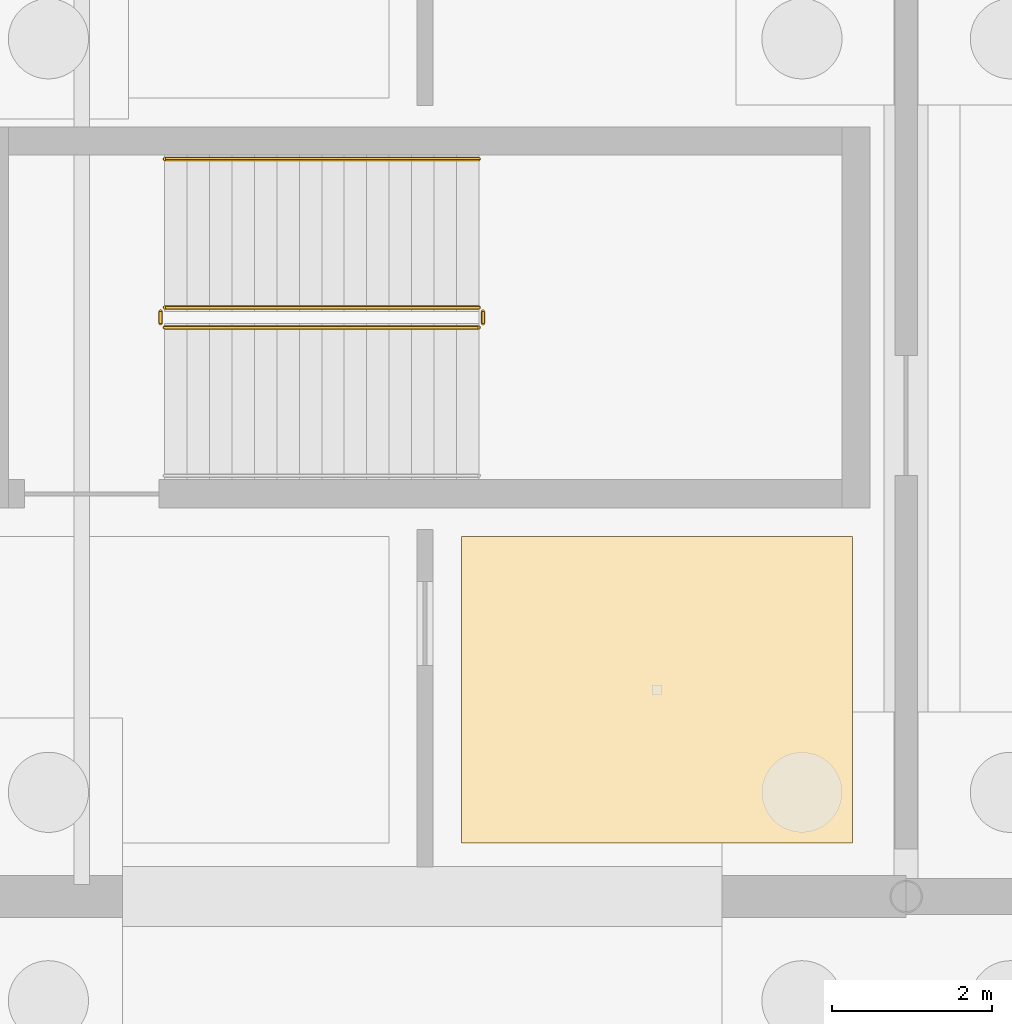
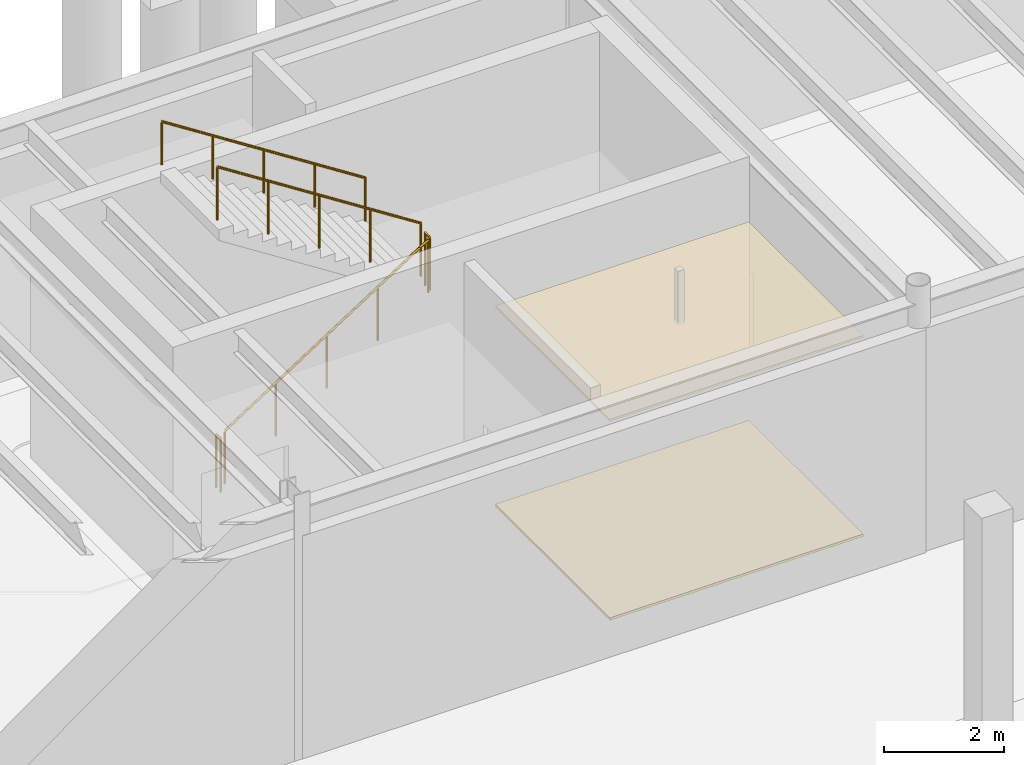
# One storey, part 58 of 67: 5 railings, 2 coverings.
"""IFC4 building model written with IfcOpenShell, lengths in metres."""

from ifc_helpers import new_model, si_unit, direction, frame, origin, origin_2d, place, context, subcontext, project, spatial, polyline, circle, outline, extrude, material, layer, layer_set, type_object, element, save


model = new_model("IFC4")

# Units and contexts
model_context = context("Model", 3, precision=1e-05, world=origin(), true_north=direction((0.0, 1.0)))
body_context = subcontext(model_context, "Body", "Model", "MODEL_VIEW")
ifc_project = project(units=[si_unit("LENGTHUNIT", "METRE"), si_unit("AREAUNIT", "SQUARE_METRE"), si_unit("VOLUMEUNIT", "CUBIC_METRE"), si_unit("PLANEANGLEUNIT", "RADIAN"), si_unit("MASSUNIT", "GRAM", prefix="KILO")], contexts=[model_context])

# Site, building, storey
site_placement = place(None, origin())
site = spatial("IfcSite", under=ifc_project, at=site_placement, CompositionType="ELEMENT")
building_placement = place(site_placement, origin())
building = spatial("IfcBuilding", under=site, at=building_placement, Name="Zlatogorsky Bluff Art Gallery", CompositionType="ELEMENT")
storey_placement = place(building_placement, frame((0.0, 0.0, -5.39990234375)))
storey = spatial("IfcBuildingStorey", under=building, at=storey_placement, Name="B1", CompositionType="ELEMENT", Elevation=-5.39990234375)

# Covering
ifc_material_1 = material(Name="Perforated Gypsum Acoustic Board", Category="gypsum")
ifc_layer_1 = layer(ifc_material_1, 0.0400390625)
ifc_layer_set_1 = layer_set([ifc_layer_1], Name="Acoustic Gallery Ceiling CLG-01")
covering_type_1 = type_object("IfcCoveringType", Name="Acoustic Gallery Ceiling CLG-01", PredefinedType="CEILING", material=ifc_layer_set_1)
covering_1_placement = place(storey_placement, frame((0.0, 0.0, 4.0498046875)))
element("IfcCovering", 1, at=covering_1_placement, inside=storey, type_object=covering_type_1, Name="B1 Gallery Concourse Corridor acoustic ceiling", PredefinedType="CEILING", context=body_context, shape_type="SweptSolid", body=[
    extrude(outline(polyline([(83.330078125, 84.669921875), (78.449951171875, 84.669921875), (78.449951171875, 88.489990234375), (83.330078125, 88.489990234375), (83.330078125, 84.669921875)])), origin(), (0.0, 0.0, 1.0), 0.0400390625),
])

# Railings
ifc_material_2 = material(Name="Architectural Bronze and Laminated Glass", Category="glass")
railing_type_1 = type_object("IfcRailingType", Name="Gallery Guard Rail 1100mm", PredefinedType="GUARDRAIL", material=ifc_material_2)
railing_1_placement = place(storey_placement, frame((74.75, 91.10009765625, 0.179931640625)))
element("IfcRailing", 2, at=railing_1_placement, inside=storey, type_object=railing_type_1, Name="B1 ST-08 stair guard 1", PredefinedType="GUARDRAIL", context=body_context, shape_type="SweptSolid", body=[
    extrude(circle(Radius=0.02392578125, at=origin_2d()), frame((0.0, 0.0, 1.076171875), z_axis=(0.841171666519, 0.0, 0.540768182723), x_axis=(0.0, 1.0, 0.0)), (0.0, 0.0, 1.0), 4.66015625),
    extrude(circle(Radius=0.02099609375, at=origin_2d()), origin(), (0.0, 0.0, 1.0), 1.052001953125),
    extrude(circle(Radius=0.02099609375, at=origin_2d()), frame((0.97998046875, 0.0, 0.6298828125)), (0.0, 0.0, 1.0), 1.052001953125),
    extrude(circle(Radius=0.02099609375, at=origin_2d()), frame((1.9599609375, 0.0, 1.260009765625)), (0.0, 0.0, 1.0), 1.052001953125),
    extrude(circle(Radius=0.02099609375, at=origin_2d()), frame((2.93994140625, 0.0, 1.89013671875)), (0.0, 0.0, 1.0), 1.052001953125),
    extrude(circle(Radius=0.02099609375, at=origin_2d()), frame((3.919921875, 0.0, 2.52001953125)), (0.0, 0.0, 1.0), 1.052001953125),
])
railing_2_placement = place(storey_placement, frame((78.719970703125, 91.14990234375, 2.699951171875)))
element("IfcRailing", 3, at=railing_2_placement, inside=storey, type_object=railing_type_1, Name="B1 ST-08 stair guard 2", PredefinedType="GUARDRAIL", context=body_context, shape_type="SweptSolid", body=[
    extrude(circle(Radius=0.02392578125, at=origin_2d()), frame((0.0, 0.0, 1.076171875), z_axis=(0.0, 1.0, 0.0), x_axis=(-1.0, 0.0, 0.0)), (0.0, 0.0, 1.0), 0.150146484375),
    extrude(circle(Radius=0.02099609375, at=origin_2d()), origin(), (0.0, 0.0, 1.0), 1.052001953125),
    extrude(circle(Radius=0.02099609375, at=origin_2d()), frame((0.0, 0.150146484375, 0.0)), (0.0, 0.0, 1.0), 1.052001953125),
])
railing_3_placement = place(storey_placement, frame((78.669921875, 91.35009765625, 2.8798828125)))
element("IfcRailing", 4, at=railing_3_placement, inside=storey, type_object=railing_type_1, Name="B1 ST-08 stair guard 3", PredefinedType="GUARDRAIL", context=body_context, shape_type="SweptSolid", body=[
    extrude(circle(Radius=0.02392578125, at=origin_2d()), frame((0.0, 0.0, 1.076171875), z_axis=(-0.841171666519, 0.0, 0.540768182723), x_axis=(0.0, -1.0, 0.0)), (0.0, 0.0, 1.0), 4.66015625),
    extrude(circle(Radius=0.02099609375, at=origin_2d()), origin(), (0.0, 0.0, 1.0), 1.052001953125),
    extrude(circle(Radius=0.02099609375, at=origin_2d()), frame((-0.97998046875, 0.0, 0.6298828125)), (0.0, 0.0, 1.0), 1.052001953125),
    extrude(circle(Radius=0.02099609375, at=origin_2d()), frame((-1.9599609375, 0.0, 1.260009765625)), (0.0, 0.0, 1.0), 1.052001953125),
    extrude(circle(Radius=0.02099609375, at=origin_2d()), frame((-2.93994140625, 0.0, 1.89013671875)), (0.0, 0.0, 1.0), 1.052001953125),
    extrude(circle(Radius=0.02099609375, at=origin_2d()), frame((-3.919921875, 0.0, 2.52001953125)), (0.0, 0.0, 1.0), 1.052001953125),
])
railing_4_placement = place(storey_placement, frame((74.699951171875, 91.14990234375, 0.0)))
element("IfcRailing", 5, at=railing_4_placement, inside=storey, type_object=railing_type_1, Name="B1 ST-08 stair guard 4", PredefinedType="GUARDRAIL", context=body_context, shape_type="SweptSolid", body=[
    extrude(circle(Radius=0.02392578125, at=origin_2d()), frame((0.0, 0.0, 1.076171875), z_axis=(0.0, 1.0, 0.0), x_axis=(-1.0, 0.0, 0.0)), (0.0, 0.0, 1.0), 0.150146484375),
    extrude(circle(Radius=0.02099609375, at=origin_2d()), origin(), (0.0, 0.0, 1.0), 1.052001953125),
    extrude(circle(Radius=0.02099609375, at=origin_2d()), frame((0.0, 0.150146484375, 0.0)), (0.0, 0.0, 1.0), 1.052001953125),
])
ifc_material_3 = material(Name="Brushed Stainless Steel", Category="steel")
railing_type_2 = type_object("IfcRailingType", Name="Stair Pitch Handrail 900mm", PredefinedType="HANDRAIL", material=ifc_material_3)
railing_5_placement = place(storey_placement, frame((78.669921875, 93.199951171875, 2.8798828125)))
element("IfcRailing", 6, at=railing_5_placement, inside=storey, type_object=railing_type_2, Name="B1 ST-08 stair handrail 2", PredefinedType="HANDRAIL", context=body_context, shape_type="SweptSolid", body=[
    extrude(circle(Radius=0.02392578125, at=origin_2d()), frame((0.0, 0.0, 0.8759765625), z_axis=(-0.841171666519, 0.0, 0.540768182723), x_axis=(0.0, -1.0, 0.0)), (0.0, 0.0, 1.0), 4.66015625),
    extrude(circle(Radius=0.02099609375, at=origin_2d()), origin(), (0.0, 0.0, 1.0), 0.851806640625),
    extrude(circle(Radius=0.02099609375, at=origin_2d()), frame((-0.97998046875, 0.0, 0.6298828125)), (0.0, 0.0, 1.0), 0.851806640625),
    extrude(circle(Radius=0.02099609375, at=origin_2d()), frame((-1.9599609375, 0.0, 1.260009765625)), (0.0, 0.0, 1.0), 0.851806640625),
    extrude(circle(Radius=0.02099609375, at=origin_2d()), frame((-2.93994140625, 0.0, 1.89013671875)), (0.0, 0.0, 1.0), 0.851806640625),
    extrude(circle(Radius=0.02099609375, at=origin_2d()), frame((-3.919921875, 0.0, 2.52001953125)), (0.0, 0.0, 1.0), 0.851806640625),
])

# Covering
ifc_material_4 = material(Name="Polished Ural Marble Terrazzo", Category="masonry")
ifc_layer_2 = layer(ifc_material_4, 0.050048828125)
ifc_layer_set_2 = layer_set([ifc_layer_2], Name="Terrazzo Gallery Flooring FLR-01")
covering_type_2 = type_object("IfcCoveringType", Name="Terrazzo Gallery Flooring FLR-01", PredefinedType="FLOORING", material=ifc_layer_set_2)
covering_2_placement = place(storey_placement, origin())
element("IfcCovering", 7, at=covering_2_placement, inside=storey, type_object=covering_type_2, Name="B1 Gallery Concourse Corridor terrazzo floor finish", PredefinedType="FLOORING", context=body_context, shape_type="SweptSolid", body=[
    extrude(outline(polyline([(83.330078125, 84.669921875), (78.449951171875, 84.669921875), (78.449951171875, 88.489990234375), (83.330078125, 88.489990234375), (83.330078125, 84.669921875)])), origin(), (0.0, 0.0, 1.0), 0.0498046875),
])

save(model, "model.ifc")
